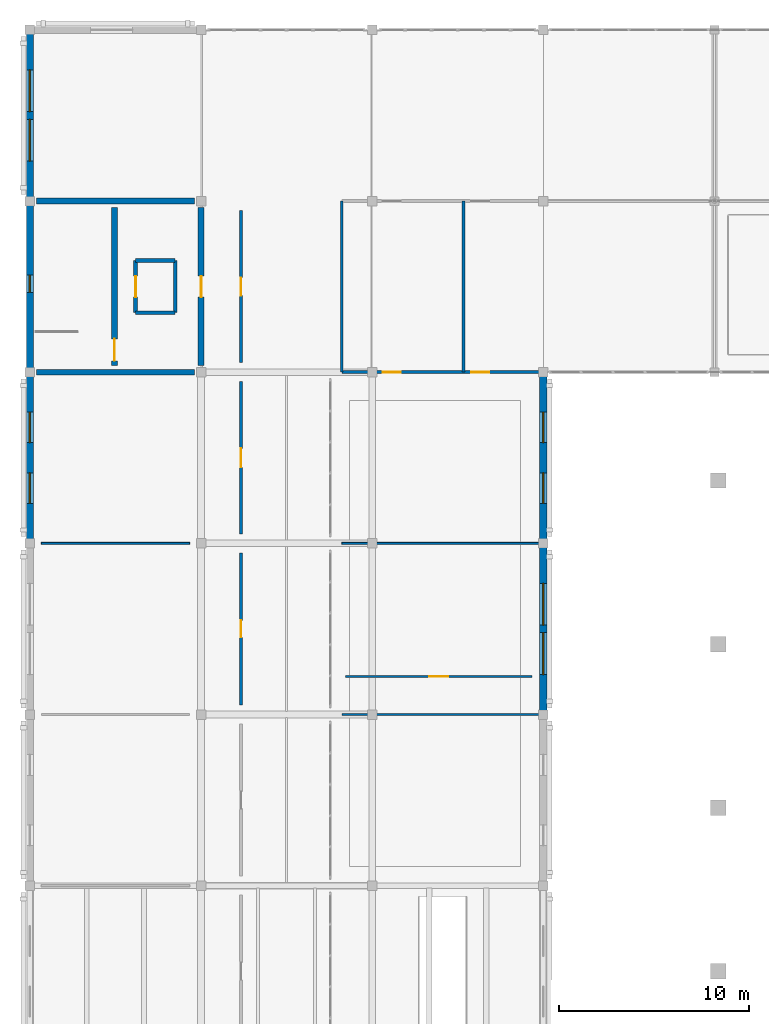
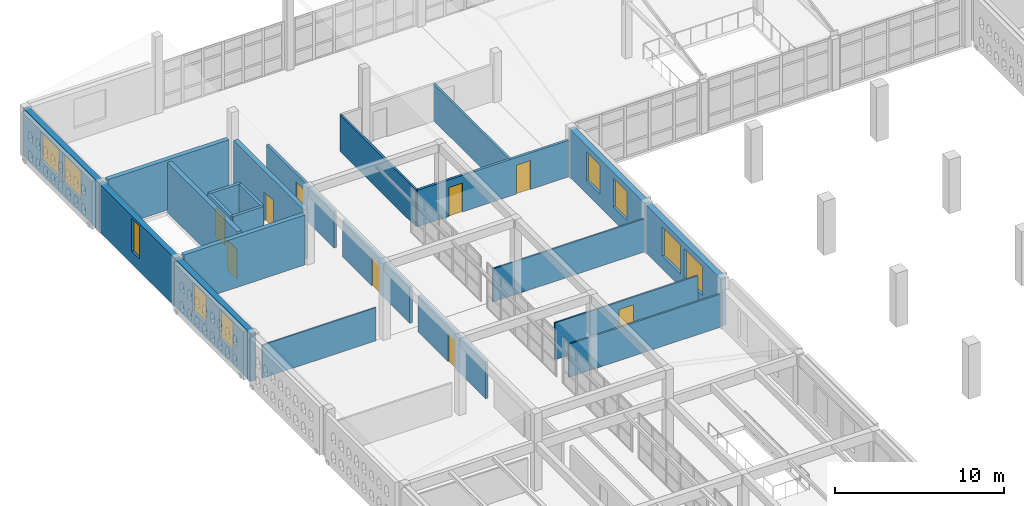
# One storey, part 131 of 156: 23 walls, 9 doors, 9 windows, 18 openings.
"""IFC4 building model written with IfcOpenShell, lengths in metres."""

from ifc_helpers import new_model, si_unit, direction, frame, frame_2d, origin, place, context, subcontext, project, spatial, rectangle, extrude, material, layer, layer_set, type_object, element, fill, save


model = new_model("IFC4")

# Units and contexts
model_context = context("Model", 3, precision=1e-05, world=origin(), true_north=direction((0.0, 1.0)))
body_context = subcontext(model_context, "Body", "Model", "MODEL_VIEW")
ifc_project = project(units=[si_unit("LENGTHUNIT", "METRE"), si_unit("AREAUNIT", "SQUARE_METRE"), si_unit("VOLUMEUNIT", "CUBIC_METRE"), si_unit("PLANEANGLEUNIT", "RADIAN"), si_unit("MASSUNIT", "GRAM", prefix="KILO")], contexts=[model_context])

# Site, building, storey
site_placement = place(None, origin())
site = spatial("IfcSite", under=ifc_project, at=site_placement, CompositionType="ELEMENT")
building_placement = place(site_placement, origin())
building = spatial("IfcBuilding", under=site, at=building_placement, Name="Ornek Quay Market", CompositionType="ELEMENT")
storey_placement = place(building_placement, frame((0.0, 0.0, 4.5)))
storey = spatial("IfcBuildingStorey", under=building, at=storey_placement, Name="L01", CompositionType="ELEMENT", Elevation=4.5)

# Wall, opening, door
ifc_material_1 = material(Name="Concrete C40/50", Category="concrete")
ifc_layer_1 = layer(ifc_material_1, 0.300048828125, Name="Concrete C40/50", Category="concrete")
ifc_layer_set_1 = layer_set([ifc_layer_1], Name="Concrete C40/50")
wall_type_1 = type_object("IfcWallType", Name="WL-CORE-300", PredefinedType="SHEAR", material=ifc_layer_set_1)
wall_1_placement = place(storey_placement, frame((4.449951171875, 92.35009765625, 0.0), z_axis=(0.0, 0.0, 1.0), x_axis=(0.0, 1.0, 0.0)))
wall_1 = element("IfcWall", 1, at=wall_1_placement, inside=storey, type_object=wall_type_1, Name="Interior wall W-CORE1-009", PredefinedType="SHEAR", context=body_context, shape_type="SweptSolid", body=[
    extrude(rectangle(XDim=8.2998046875, YDim=0.300048828125, at=frame_2d((4.14990234375, 0.0))), origin(), (0.0, 0.0, 1.0), 3.6201171875),
])
opening_1_placement = place(wall_1_placement, frame((0.25, 0.0, 0.0)))
opening_1 = element("IfcOpeningElement", 2, at=opening_1_placement, cuts=wall_1, Name="Opening FD-03-004", PredefinedType="OPENING", context=body_context, shape_type="SweptSolid", body=[
    extrude(rectangle(XDim=1.14990234375, YDim=2.14990234375, at=frame_2d((0.574951171875, 1.074951171875))), frame((0.0, 0.159912109375, 0.0), z_axis=(0.0, -1.0, 0.0), x_axis=(1.0, 0.0, 0.0)), (0.0, 0.0, 1.0), 0.320068359375),
])
ifc_material_2 = material(Name="Insulated fire-rated painted steel", Category="steel")
door_type_1 = type_object("IfcDoorType", Name="DR-FIRE-STAIR-1150x2150", OperationType="NOTDEFINED", PredefinedType="DOOR", material=ifc_material_2)
door_1_placement = place(opening_1_placement, origin())
door_1 = element("IfcDoor", 3, at=door_1_placement, inside=storey, type_object=door_type_1, Name="Interior door FD-03-004", OperationType="SINGLE_SWING_LEFT", OverallHeight=2.14990234375, OverallWidth=1.14990234375, PredefinedType="DOOR", context=body_context, shape_type="SweptSolid", body=[
    extrude(rectangle(XDim=1.14990234375, YDim=2.14990234375, at=frame_2d((0.574951171875, 1.074951171875))), frame((0.0, 0.02490234375, 0.0), z_axis=(0.0, -1.0, 0.0), x_axis=(1.0, 0.0, 0.0)), (0.0, 0.0, 1.0), 0.050048828125),
])
fill(opening_1, door_1)

wall_2_placement = place(storey_placement, frame((9.0, 92.35009765625, 0.0), z_axis=(0.0, 0.0, 1.0), x_axis=(0.0, 1.0, 0.0)))
wall_2 = element("IfcWall", 4, at=wall_2_placement, inside=storey, type_object=wall_type_1, Name="Interior wall W-CORE1-010", PredefinedType="SHEAR", context=body_context, shape_type="SweptSolid", body=[
    extrude(rectangle(XDim=8.2998046875, YDim=0.300048828125, at=frame_2d((4.14990234375, 0.0))), origin(), (0.0, 0.0, 1.0), 3.6201171875),
])
opening_2_placement = place(wall_2_placement, frame((3.60009765625, 0.0, 0.0)))
opening_2 = element("IfcOpeningElement", 5, at=opening_2_placement, cuts=wall_2, Name="Opening FD-04-005", PredefinedType="OPENING", context=body_context, shape_type="SweptSolid", body=[
    extrude(rectangle(XDim=1.10009765625, YDim=2.10009765625, at=frame_2d((0.550048828125, 1.050048828125))), frame((0.0, 0.159912109375, 0.0), z_axis=(0.0, -1.0, 0.0), x_axis=(1.0, 0.0, 0.0)), (0.0, 0.0, 1.0), 0.320068359375),
])
door_type_2 = type_object("IfcDoorType", Name="DR-FIRE-LOBBY-1100x2100", OperationType="NOTDEFINED", PredefinedType="DOOR", material=ifc_material_2)
door_2_placement = place(opening_2_placement, origin())
door_2 = element("IfcDoor", 6, at=door_2_placement, inside=storey, type_object=door_type_2, Name="Interior door FD-04-005", OperationType="SINGLE_SWING_RIGHT", OverallHeight=2.10009765625, OverallWidth=1.10009765625, PredefinedType="DOOR", context=body_context, shape_type="SweptSolid", body=[
    extrude(rectangle(XDim=1.10009765625, YDim=2.10009765625, at=frame_2d((0.550048828125, 1.050048828125))), frame((0.0, 0.02490234375, 0.0), z_axis=(0.0, -1.0, 0.0), x_axis=(1.0, 0.0, 0.0)), (0.0, 0.0, 1.0), 0.050048828125),
])
fill(opening_2, door_2)

# Walls
for number, where, z_axis, x_axis, name in (
    (7, (0.35009765625, 92.0, 0.0), (0.0, 0.0, 1.0), (1.0, 0.0, 0.0), "Interior wall W-CORE1-011"),
    (8, (0.35009765625, 101.0, 0.0), (0.0, 0.0, 1.0), (1.0, 0.0, 0.0), "Interior wall W-CORE1-012"),
):
    element("IfcWall", number, at=place(storey_placement, frame(where, z_axis=z_axis, x_axis=x_axis)), inside=storey, type_object=wall_type_1, Name=name, PredefinedType="SHEAR", context=body_context, shape_type="SweptSolid", body=[
        extrude(rectangle(XDim=8.2998046875, YDim=0.300048828125, at=frame_2d((4.14990234375, 0.0))), origin(), (0.0, 0.0, 1.0), 3.6201171875),
    ])

# Wall, opening, door
ifc_material_3 = material(Name="Autoclaved aerated concrete masonry", Category="masonry")
ifc_layer_2 = layer(ifc_material_3, 0.179931640625, Name="Autoclaved aerated concrete masonry", Category="masonry")
ifc_layer_set_2 = layer_set([ifc_layer_2], Name="Autoclaved aerated concrete masonry")
wall_type_2 = type_object("IfcWallType", Name="WL-CORR-180", PredefinedType="STANDARD", material=ifc_layer_set_2)
wall_3_placement = place(storey_placement, frame((11.10009765625, 74.5, 0.0), z_axis=(0.0, 0.0, 1.0), x_axis=(0.0, 1.0, 0.0)))
wall_3 = element("IfcWall", 9, at=wall_3_placement, inside=storey, type_object=wall_type_2, Name="Interior wall W-INT1-251", PredefinedType="STANDARD", context=body_context, shape_type="SweptSolid", body=[
    extrude(rectangle(XDim=8.0, YDim=0.179931640625, at=frame_2d((4.0, 0.0))), origin(), (0.0, 0.0, 1.0), 2.64990234375),
])
opening_3_placement = place(wall_3_placement, frame((3.550048828125, 0.0, 0.0)))
opening_3 = element("IfcOpeningElement", 10, at=opening_3_placement, cuts=wall_3, Name="Opening ID-05-116", PredefinedType="OPENING", context=body_context, shape_type="SweptSolid", body=[
    extrude(rectangle(XDim=0.89990234375, YDim=2.050048828125, at=frame_2d((0.449951171875, 1.02490234375))), frame((0.0, 0.099853515625, 0.0), z_axis=(0.0, -1.0, 0.0), x_axis=(1.0, 0.0, 0.0)), (0.0, 0.0, 1.0), 0.199951171875),
])
ifc_material_4 = material(Name="Timber market stall service door", Category="wood")
door_type_3 = type_object("IfcDoorType", Name="DR-INT-STALL-900x2050", OperationType="NOTDEFINED", PredefinedType="DOOR", material=ifc_material_4)
door_3_placement = place(opening_3_placement, origin())
door_3 = element("IfcDoor", 11, at=door_3_placement, inside=storey, type_object=door_type_3, Name="Interior door ID-05-116", OperationType="SINGLE_SWING_LEFT", OverallHeight=2.050048828125, OverallWidth=0.89990234375, PredefinedType="DOOR", context=body_context, shape_type="SweptSolid", body=[
    extrude(rectangle(XDim=0.89990234375, YDim=2.050048828125, at=frame_2d((0.449951171875, 1.02490234375))), frame((0.0, 0.02490234375, 0.0), z_axis=(0.0, -1.0, 0.0), x_axis=(1.0, 0.0, 0.0)), (0.0, 0.0, 1.0), 0.050048828125),
])
fill(opening_3, door_3)

wall_4_placement = place(storey_placement, frame((11.10009765625, 83.5, 0.0), z_axis=(0.0, 0.0, 1.0), x_axis=(0.0, 1.0, 0.0)))
wall_4 = element("IfcWall", 12, at=wall_4_placement, inside=storey, type_object=wall_type_2, Name="Interior wall W-INT1-252", PredefinedType="STANDARD", context=body_context, shape_type="SweptSolid", body=[
    extrude(rectangle(XDim=8.0, YDim=0.179931640625, at=frame_2d((4.0, 0.0))), origin(), (0.0, 0.0, 1.0), 2.64990234375),
])
opening_4_placement = place(wall_4_placement, frame((3.5, 0.0, 0.0)))
opening_4 = element("IfcOpeningElement", 13, at=opening_4_placement, cuts=wall_4, Name="Opening ID-03-117", PredefinedType="OPENING", context=body_context, shape_type="SweptSolid", body=[
    extrude(rectangle(XDim=1.0, YDim=2.10009765625, at=frame_2d((0.5, 1.050048828125))), frame((0.0, 0.099853515625, 0.0), z_axis=(0.0, -1.0, 0.0), x_axis=(1.0, 0.0, 0.0)), (0.0, 0.0, 1.0), 0.199951171875),
])
ifc_material_5 = material(Name="Solid oak door", Category="other")
door_type_4 = type_object("IfcDoorType", Name="DR-INT-ROOM-1000x2100", OperationType="NOTDEFINED", PredefinedType="DOOR", material=ifc_material_5)
door_4_placement = place(opening_4_placement, origin())
door_4 = element("IfcDoor", 14, at=door_4_placement, inside=storey, type_object=door_type_4, Name="Interior door ID-03-117", OperationType="SINGLE_SWING_RIGHT", OverallHeight=2.10009765625, OverallWidth=1.0, PredefinedType="DOOR", context=body_context, shape_type="SweptSolid", body=[
    extrude(rectangle(XDim=1.0, YDim=2.10009765625, at=frame_2d((0.5, 1.050048828125))), frame((0.0, 0.02490234375, 0.0), z_axis=(0.0, -1.0, 0.0), x_axis=(1.0, 0.0, 0.0)), (0.0, 0.0, 1.0), 0.050048828125),
])
fill(opening_4, door_4)

wall_5_placement = place(storey_placement, frame((11.10009765625, 92.5, 0.0), z_axis=(0.0, 0.0, 1.0), x_axis=(0.0, 1.0, 0.0)))
wall_5 = element("IfcWall", 15, at=wall_5_placement, inside=storey, type_object=wall_type_2, Name="Interior wall W-INT1-253", PredefinedType="STANDARD", context=body_context, shape_type="SweptSolid", body=[
    extrude(rectangle(XDim=8.0, YDim=0.179931640625, at=frame_2d((4.0, 0.0))), origin(), (0.0, 0.0, 1.0), 2.64990234375),
])
opening_5_placement = place(wall_5_placement, frame((3.52490234375, 0.0, 0.0)))
opening_5 = element("IfcOpeningElement", 16, at=opening_5_placement, cuts=wall_5, Name="Opening ID-04-118", PredefinedType="OPENING", context=body_context, shape_type="SweptSolid", body=[
    extrude(rectangle(XDim=0.949951171875, YDim=2.10009765625, at=frame_2d((0.47509765625, 1.050048828125))), frame((0.0, 0.099853515625, 0.0), z_axis=(0.0, -1.0, 0.0), x_axis=(1.0, 0.0, 0.0)), (0.0, 0.0, 1.0), 0.199951171875),
])
ifc_material_6 = material(Name="Moisture-resistant laminate door", Category="other")
door_type_5 = type_object("IfcDoorType", Name="DR-INT-WC-950x2100", OperationType="NOTDEFINED", PredefinedType="DOOR", material=ifc_material_6)
door_5_placement = place(opening_5_placement, origin())
door_5 = element("IfcDoor", 17, at=door_5_placement, inside=storey, type_object=door_type_5, Name="Interior door ID-04-118", OperationType="SINGLE_SWING_LEFT", OverallHeight=2.10009765625, OverallWidth=0.949951171875, PredefinedType="DOOR", context=body_context, shape_type="SweptSolid", body=[
    extrude(rectangle(XDim=0.949951171875, YDim=2.10009765625, at=frame_2d((0.47509765625, 1.050048828125))), frame((0.0, 0.02490234375, 0.0), z_axis=(0.0, -1.0, 0.0), x_axis=(1.0, 0.0, 0.0)), (0.0, 0.0, 1.0), 0.050048828125),
])
fill(opening_5, door_5)

# Wall, openings, windows
ifc_material_7 = material(Name="Frost-resistant facing clay brick M200 F100", Category="masonry")
ifc_layer_3 = layer(ifc_material_7, 0.3798828125, Name="Frost-resistant facing clay brick M200 F100", Category="masonry")
ifc_layer_set_3 = layer_set([ifc_layer_3], Name="Frost-resistant facing clay brick M200 F100")
wall_type_3 = type_object("IfcWallType", Name="WL-EXT-WING-380", PredefinedType="STANDARD", material=ifc_layer_set_3)
wall_6_placement = place(storey_placement, frame((0.0, 83.0, 0.0), z_axis=(0.0, 0.0, 1.0), x_axis=(0.0, 1.0, 0.0)))
wall_6 = element("IfcWall", 18, at=wall_6_placement, inside=storey, type_object=wall_type_3, Name="Exterior wall EW-067", PredefinedType="STANDARD", context=body_context, shape_type="SweptSolid", body=[
    extrude(rectangle(XDim=9.0, YDim=0.3798828125, at=frame_2d((4.5, 0.0))), origin(), (0.0, 0.0, 1.0), 3.47998046875),
])
opening_6_placement = place(wall_6_placement, frame((2.10009765625, 0.0, 0.949951171875)))
opening_6 = element("IfcOpeningElement", 19, at=opening_6_placement, cuts=wall_6, Name="Opening W-13-040", PredefinedType="OPENING", context=body_context, shape_type="SweptSolid", body=[
    extrude(rectangle(XDim=1.60009765625, YDim=2.10009765625, at=frame_2d((0.800048828125, 1.050048828125))), frame((0.0, 0.199951171875, 0.0), z_axis=(0.0, -1.0, 0.0), x_axis=(1.0, 0.0, 0.0)), (0.0, 0.0, 1.0), 0.39990234375),
])
opening_7_placement = place(wall_6_placement, frame((5.300048828125, 0.0, 0.949951171875)))
opening_7 = element("IfcOpeningElement", 20, at=opening_7_placement, cuts=wall_6, Name="Opening W-13-041", PredefinedType="OPENING", context=body_context, shape_type="SweptSolid", body=[
    extrude(rectangle(XDim=1.60009765625, YDim=2.10009765625, at=frame_2d((0.800048828125, 1.050048828125))), frame((0.0, 0.199951171875, 0.0), z_axis=(0.0, -1.0, 0.0), x_axis=(1.0, 0.0, 0.0)), (0.0, 0.0, 1.0), 0.39990234375),
])
ifc_material_8 = material(Name="Thermally broken bronze aluminium and triple low-e glass", Category="aluminium")
window_type_1 = type_object("IfcWindowType", Name="WN-WW-1600x2100", PartitioningType="DOUBLE_PANEL_VERTICAL", PredefinedType="WINDOW", material=ifc_material_8)
window_1_placement = place(opening_6_placement, origin())
window_1 = element("IfcWindow", 21, at=window_1_placement, inside=storey, type_object=window_type_1, Name="Window W-13-040", OverallHeight=2.10009765625, OverallWidth=1.60009765625, PartitioningType="SINGLE_PANEL", PredefinedType="WINDOW", context=body_context, shape_type="SweptSolid", body=[
    extrude(rectangle(XDim=1.60009765625, YDim=2.10009765625, at=frame_2d((0.800048828125, 1.050048828125))), frame((0.0, 0.030029296875, 0.0), z_axis=(0.0, -1.0, 0.0), x_axis=(1.0, 0.0, 0.0)), (0.0, 0.0, 1.0), 0.06005859375),
])
fill(opening_6, window_1)
window_2_placement = place(opening_7_placement, origin())
window_2 = element("IfcWindow", 22, at=window_2_placement, inside=storey, type_object=window_type_1, Name="Window W-13-041", OverallHeight=2.10009765625, OverallWidth=1.60009765625, PartitioningType="SINGLE_PANEL", PredefinedType="WINDOW", context=body_context, shape_type="SweptSolid", body=[
    extrude(rectangle(XDim=1.60009765625, YDim=2.10009765625, at=frame_2d((0.800048828125, 1.050048828125))), frame((0.0, 0.030029296875, 0.0), z_axis=(0.0, -1.0, 0.0), x_axis=(1.0, 0.0, 0.0)), (0.0, 0.0, 1.0), 0.06005859375),
])
fill(opening_7, window_2)

# Wall, opening, window
wall_7_placement = place(storey_placement, frame((0.0, 92.0, 0.0), z_axis=(0.0, 0.0, 1.0), x_axis=(0.0, 1.0, 0.0)))
wall_7 = element("IfcWall", 23, at=wall_7_placement, inside=storey, type_object=wall_type_3, Name="Exterior wall EW-068", PredefinedType="STANDARD", context=body_context, shape_type="SweptSolid", body=[
    extrude(rectangle(XDim=9.0, YDim=0.3798828125, at=frame_2d((4.5, 0.0))), origin(), (0.0, 0.0, 1.0), 3.47998046875),
])
opening_8_placement = place(wall_7_placement, frame((4.199951171875, 0.0, 0.89990234375)))
opening_8 = element("IfcOpeningElement", 24, at=opening_8_placement, cuts=wall_7, Name="Opening W-17-042", PredefinedType="OPENING", context=body_context, shape_type="SweptSolid", body=[
    extrude(rectangle(XDim=0.89990234375, YDim=2.39990234375, at=frame_2d((0.449951171875, 1.199951171875))), frame((0.0, 0.199951171875, 0.0), z_axis=(0.0, -1.0, 0.0), x_axis=(1.0, 0.0, 0.0)), (0.0, 0.0, 1.0), 0.39990234375),
])
window_type_2 = type_object("IfcWindowType", Name="WN-CORE-900x2400", PartitioningType="SINGLE_PANEL", PredefinedType="WINDOW", material=ifc_material_8)
window_3_placement = place(opening_8_placement, origin())
window_3 = element("IfcWindow", 25, at=window_3_placement, inside=storey, type_object=window_type_2, Name="Window W-17-042", OverallHeight=2.39990234375, OverallWidth=0.89990234375, PartitioningType="SINGLE_PANEL", PredefinedType="WINDOW", context=body_context, shape_type="SweptSolid", body=[
    extrude(rectangle(XDim=0.89990234375, YDim=2.39990234375, at=frame_2d((0.449951171875, 1.199951171875))), frame((0.0, 0.030029296875, 0.0), z_axis=(0.0, -1.0, 0.0), x_axis=(1.0, 0.0, 0.0)), (0.0, 0.0, 1.0), 0.06005859375),
])
fill(opening_8, window_3)

# Wall, openings, windows
wall_8_placement = place(storey_placement, frame((0.0, 101.0, 0.0), z_axis=(0.0, 0.0, 1.0), x_axis=(0.0, 1.0, 0.0)))
wall_8 = element("IfcWall", 26, at=wall_8_placement, inside=storey, type_object=wall_type_3, Name="Exterior wall EW-069", PredefinedType="STANDARD", context=body_context, shape_type="SweptSolid", body=[
    extrude(rectangle(XDim=9.0, YDim=0.3798828125, at=frame_2d((4.5, 0.0))), origin(), (0.0, 0.0, 1.0), 3.47998046875),
])
opening_9_placement = place(wall_8_placement, frame((2.10009765625, 0.0, 0.949951171875)))
opening_9 = element("IfcOpeningElement", 27, at=opening_9_placement, cuts=wall_8, Name="Opening W-12-043", PredefinedType="OPENING", context=body_context, shape_type="SweptSolid", body=[
    extrude(rectangle(XDim=2.199951171875, YDim=2.10009765625, at=frame_2d((1.10009765625, 1.050048828125))), frame((0.0, 0.199951171875, 0.0), z_axis=(0.0, -1.0, 0.0), x_axis=(1.0, 0.0, 0.0)), (0.0, 0.0, 1.0), 0.39990234375),
])
opening_10_placement = place(wall_8_placement, frame((4.699951171875, 0.0, 0.949951171875)))
opening_10 = element("IfcOpeningElement", 28, at=opening_10_placement, cuts=wall_8, Name="Opening W-12-044", PredefinedType="OPENING", context=body_context, shape_type="SweptSolid", body=[
    extrude(rectangle(XDim=2.199951171875, YDim=2.10009765625, at=frame_2d((1.10009765625, 1.050048828125))), frame((0.0, 0.199951171875, 0.0), z_axis=(0.0, -1.0, 0.0), x_axis=(1.0, 0.0, 0.0)), (0.0, 0.0, 1.0), 0.39990234375),
])
window_type_3 = type_object("IfcWindowType", Name="WN-WW-2200x2100", PartitioningType="DOUBLE_PANEL_VERTICAL", PredefinedType="WINDOW", material=ifc_material_8)
window_4_placement = place(opening_9_placement, origin())
window_4 = element("IfcWindow", 29, at=window_4_placement, inside=storey, type_object=window_type_3, Name="Window W-12-043", OverallHeight=2.10009765625, OverallWidth=2.199951171875, PartitioningType="SINGLE_PANEL", PredefinedType="WINDOW", context=body_context, shape_type="SweptSolid", body=[
    extrude(rectangle(XDim=2.199951171875, YDim=2.10009765625, at=frame_2d((1.10009765625, 1.050048828125))), frame((0.0, 0.030029296875, 0.0), z_axis=(0.0, -1.0, 0.0), x_axis=(1.0, 0.0, 0.0)), (0.0, 0.0, 1.0), 0.06005859375),
])
fill(opening_9, window_4)
window_5_placement = place(opening_10_placement, origin())
window_5 = element("IfcWindow", 30, at=window_5_placement, inside=storey, type_object=window_type_3, Name="Window W-12-044", OverallHeight=2.10009765625, OverallWidth=2.199951171875, PartitioningType="SINGLE_PANEL", PredefinedType="WINDOW", context=body_context, shape_type="SweptSolid", body=[
    extrude(rectangle(XDim=2.199951171875, YDim=2.10009765625, at=frame_2d((1.10009765625, 1.050048828125))), frame((0.0, 0.030029296875, 0.0), z_axis=(0.0, -1.0, 0.0), x_axis=(1.0, 0.0, 0.0)), (0.0, 0.0, 1.0), 0.06005859375),
])
fill(opening_10, window_5)

wall_9_placement = place(storey_placement, frame((27.0, 74.0, 0.0), z_axis=(0.0, 0.0, 1.0), x_axis=(0.0, 1.0, 0.0)))
wall_9 = element("IfcWall", 31, at=wall_9_placement, inside=storey, type_object=wall_type_3, Name="Exterior wall EW-075", PredefinedType="STANDARD", context=body_context, shape_type="SweptSolid", body=[
    extrude(rectangle(XDim=9.0, YDim=0.3798828125, at=frame_2d((4.5, 0.0))), origin(), (0.0, 0.0, 1.0), 3.47998046875),
])
opening_11_placement = place(wall_9_placement, frame((2.10009765625, 0.0, 0.949951171875)))
opening_11 = element("IfcOpeningElement", 32, at=opening_11_placement, cuts=wall_9, Name="Opening W-12-055", PredefinedType="OPENING", context=body_context, shape_type="SweptSolid", body=[
    extrude(rectangle(XDim=2.199951171875, YDim=2.10009765625, at=frame_2d((1.10009765625, 1.050048828125))), frame((0.0, 0.199951171875, 0.0), z_axis=(0.0, -1.0, 0.0), x_axis=(1.0, 0.0, 0.0)), (0.0, 0.0, 1.0), 0.39990234375),
])
opening_12_placement = place(wall_9_placement, frame((4.699951171875, 0.0, 0.949951171875)))
opening_12 = element("IfcOpeningElement", 33, at=opening_12_placement, cuts=wall_9, Name="Opening W-12-056", PredefinedType="OPENING", context=body_context, shape_type="SweptSolid", body=[
    extrude(rectangle(XDim=2.199951171875, YDim=2.10009765625, at=frame_2d((1.10009765625, 1.050048828125))), frame((0.0, 0.199951171875, 0.0), z_axis=(0.0, -1.0, 0.0), x_axis=(1.0, 0.0, 0.0)), (0.0, 0.0, 1.0), 0.39990234375),
])
window_6_placement = place(opening_11_placement, origin())
window_6 = element("IfcWindow", 34, at=window_6_placement, inside=storey, type_object=window_type_3, Name="Window W-12-055", OverallHeight=2.10009765625, OverallWidth=2.199951171875, PartitioningType="SINGLE_PANEL", PredefinedType="WINDOW", context=body_context, shape_type="SweptSolid", body=[
    extrude(rectangle(XDim=2.199951171875, YDim=2.10009765625, at=frame_2d((1.10009765625, 1.050048828125))), frame((0.0, 0.030029296875, 0.0), z_axis=(0.0, -1.0, 0.0), x_axis=(1.0, 0.0, 0.0)), (0.0, 0.0, 1.0), 0.06005859375),
])
fill(opening_11, window_6)
window_7_placement = place(opening_12_placement, origin())
window_7 = element("IfcWindow", 35, at=window_7_placement, inside=storey, type_object=window_type_3, Name="Window W-12-056", OverallHeight=2.10009765625, OverallWidth=2.199951171875, PartitioningType="SINGLE_PANEL", PredefinedType="WINDOW", context=body_context, shape_type="SweptSolid", body=[
    extrude(rectangle(XDim=2.199951171875, YDim=2.10009765625, at=frame_2d((1.10009765625, 1.050048828125))), frame((0.0, 0.030029296875, 0.0), z_axis=(0.0, -1.0, 0.0), x_axis=(1.0, 0.0, 0.0)), (0.0, 0.0, 1.0), 0.06005859375),
])
fill(opening_12, window_7)

wall_10_placement = place(storey_placement, frame((27.0, 83.0, 0.0), z_axis=(0.0, 0.0, 1.0), x_axis=(0.0, 1.0, 0.0)))
wall_10 = element("IfcWall", 36, at=wall_10_placement, inside=storey, type_object=wall_type_3, Name="Exterior wall EW-076", PredefinedType="STANDARD", context=body_context, shape_type="SweptSolid", body=[
    extrude(rectangle(XDim=9.0, YDim=0.3798828125, at=frame_2d((4.5, 0.0))), origin(), (0.0, 0.0, 1.0), 3.47998046875),
])
opening_13_placement = place(wall_10_placement, frame((2.10009765625, 0.0, 0.949951171875)))
opening_13 = element("IfcOpeningElement", 37, at=opening_13_placement, cuts=wall_10, Name="Opening W-13-057", PredefinedType="OPENING", context=body_context, shape_type="SweptSolid", body=[
    extrude(rectangle(XDim=1.60009765625, YDim=2.10009765625, at=frame_2d((0.800048828125, 1.050048828125))), frame((0.0, 0.199951171875, 0.0), z_axis=(0.0, -1.0, 0.0), x_axis=(1.0, 0.0, 0.0)), (0.0, 0.0, 1.0), 0.39990234375),
])
opening_14_placement = place(wall_10_placement, frame((5.300048828125, 0.0, 0.949951171875)))
opening_14 = element("IfcOpeningElement", 38, at=opening_14_placement, cuts=wall_10, Name="Opening W-13-058", PredefinedType="OPENING", context=body_context, shape_type="SweptSolid", body=[
    extrude(rectangle(XDim=1.60009765625, YDim=2.10009765625, at=frame_2d((0.800048828125, 1.050048828125))), frame((0.0, 0.199951171875, 0.0), z_axis=(0.0, -1.0, 0.0), x_axis=(1.0, 0.0, 0.0)), (0.0, 0.0, 1.0), 0.39990234375),
])
window_8_placement = place(opening_13_placement, origin())
window_8 = element("IfcWindow", 39, at=window_8_placement, inside=storey, type_object=window_type_1, Name="Window W-13-057", OverallHeight=2.10009765625, OverallWidth=1.60009765625, PartitioningType="SINGLE_PANEL", PredefinedType="WINDOW", context=body_context, shape_type="SweptSolid", body=[
    extrude(rectangle(XDim=1.60009765625, YDim=2.10009765625, at=frame_2d((0.800048828125, 1.050048828125))), frame((0.0, 0.030029296875, 0.0), z_axis=(0.0, -1.0, 0.0), x_axis=(1.0, 0.0, 0.0)), (0.0, 0.0, 1.0), 0.06005859375),
])
fill(opening_13, window_8)
window_9_placement = place(opening_14_placement, origin())
window_9 = element("IfcWindow", 40, at=window_9_placement, inside=storey, type_object=window_type_1, Name="Window W-13-058", OverallHeight=2.10009765625, OverallWidth=1.60009765625, PartitioningType="SINGLE_PANEL", PredefinedType="WINDOW", context=body_context, shape_type="SweptSolid", body=[
    extrude(rectangle(XDim=1.60009765625, YDim=2.10009765625, at=frame_2d((0.800048828125, 1.050048828125))), frame((0.0, 0.030029296875, 0.0), z_axis=(0.0, -1.0, 0.0), x_axis=(1.0, 0.0, 0.0)), (0.0, 0.0, 1.0), 0.06005859375),
])
fill(opening_14, window_9)

# Wall, opening, door
ifc_material_9 = material(Name="Framed acoustic glass partition", Category="glass")
ifc_layer_4 = layer(ifc_material_9, 0.110107421875, Name="Framed acoustic glass partition", Category="glass")
ifc_layer_set_4 = layer_set([ifc_layer_4], Name="Framed acoustic glass partition")
wall_type_4 = type_object("IfcWallType", Name="WL-GLAZED-110", PredefinedType="PARTITIONING", material=ifc_layer_set_4)
wall_11_placement = place(storey_placement, frame((16.60009765625, 76.0, 0.0), z_axis=(0.0, 0.0, 1.0), x_axis=(1.0, 0.0, 0.0)))
wall_11 = element("IfcWall", 41, at=wall_11_placement, inside=storey, type_object=wall_type_4, Name="Interior wall W-INT7-358", PredefinedType="PARTITIONING", context=body_context, shape_type="SweptSolid", body=[
    extrude(rectangle(XDim=9.7998046875, YDim=0.110107421875, at=frame_2d((4.89990234375, 0.0))), origin(), (0.0, 0.0, 1.0), 2.64990234375),
])
opening_15_placement = place(wall_11_placement, frame((4.39990234375, 0.0, 0.0)))
opening_15 = element("IfcOpeningElement", 42, at=opening_15_placement, cuts=wall_11, Name="Opening ID-03-178", PredefinedType="OPENING", context=body_context, shape_type="SweptSolid", body=[
    extrude(rectangle(XDim=1.0, YDim=2.10009765625, at=frame_2d((0.5, 1.050048828125))), frame((0.0, 0.06494140625, 0.0), z_axis=(0.0, -1.0, 0.0), x_axis=(1.0, 0.0, 0.0)), (0.0, 0.0, 1.0), 0.130126953125),
])
door_6_placement = place(opening_15_placement, origin())
door_6 = element("IfcDoor", 43, at=door_6_placement, inside=storey, type_object=door_type_4, Name="Interior door ID-03-178", OperationType="SINGLE_SWING_LEFT", OverallHeight=2.10009765625, OverallWidth=1.0, PredefinedType="DOOR", context=body_context, shape_type="SweptSolid", body=[
    extrude(rectangle(XDim=1.0, YDim=2.10009765625, at=frame_2d((0.5, 1.050048828125))), frame((0.0, 0.02490234375, 0.0), z_axis=(0.0, -1.0, 0.0), x_axis=(1.0, 0.0, 0.0)), (0.0, 0.0, 1.0), 0.050048828125),
])
fill(opening_15, door_6)

# Wall, openings, doors
ifc_material_10 = material(Name="Ceramic-tiled masonry partition", Category="masonry")
ifc_layer_5 = layer(ifc_material_10, 0.159912109375, Name="Ceramic-tiled masonry partition", Category="masonry")
ifc_layer_set_5 = layer_set([ifc_layer_5], Name="Ceramic-tiled masonry partition")
wall_type_5 = type_object("IfcWallType", Name="WL-KIT-160", PredefinedType="PARTITIONING", material=ifc_layer_set_5)
wall_12_placement = place(storey_placement, frame((16.39990234375, 92.0, 0.0), z_axis=(0.0, 0.0, 1.0), x_axis=(1.0, 0.0, 0.0)))
wall_12 = element("IfcWall", 44, at=wall_12_placement, inside=storey, type_object=wall_type_5, Name="Interior wall W-INT2-264", PredefinedType="PARTITIONING", context=body_context, shape_type="SweptSolid", body=[
    extrude(rectangle(XDim=10.400146484375, YDim=0.159912109375, at=frame_2d((5.2001953125, 0.0))), origin(), (0.0, 0.0, 1.0), 2.64990234375),
])
opening_16_placement = place(wall_12_placement, frame((2.14990234375, 0.0, 0.0)))
opening_16 = element("IfcOpeningElement", 45, at=opening_16_placement, cuts=wall_12, Name="Opening ID-04-119", PredefinedType="OPENING", context=body_context, shape_type="SweptSolid", body=[
    extrude(rectangle(XDim=0.949951171875, YDim=2.10009765625, at=frame_2d((0.47509765625, 1.050048828125))), frame((0.0, 0.08984375, 0.0), z_axis=(0.0, -1.0, 0.0), x_axis=(1.0, 0.0, 0.0)), (0.0, 0.0, 1.0), 0.179931640625),
])
opening_17_placement = place(wall_12_placement, frame((6.800048828125, 0.0, 0.0)))
opening_17 = element("IfcOpeningElement", 46, at=opening_17_placement, cuts=wall_12, Name="Opening ID-04-120", PredefinedType="OPENING", context=body_context, shape_type="SweptSolid", body=[
    extrude(rectangle(XDim=0.949951171875, YDim=2.10009765625, at=frame_2d((0.47509765625, 1.050048828125))), frame((0.0, 0.08984375, 0.0), z_axis=(0.0, -1.0, 0.0), x_axis=(1.0, 0.0, 0.0)), (0.0, 0.0, 1.0), 0.179931640625),
])
door_7_placement = place(opening_16_placement, origin())
door_7 = element("IfcDoor", 47, at=door_7_placement, inside=storey, type_object=door_type_5, Name="Interior door ID-04-119", OperationType="SINGLE_SWING_RIGHT", OverallHeight=2.10009765625, OverallWidth=0.949951171875, PredefinedType="DOOR", context=body_context, shape_type="SweptSolid", body=[
    extrude(rectangle(XDim=0.949951171875, YDim=2.10009765625, at=frame_2d((0.47509765625, 1.050048828125))), frame((0.0, 0.02490234375, 0.0), z_axis=(0.0, -1.0, 0.0), x_axis=(1.0, 0.0, 0.0)), (0.0, 0.0, 1.0), 0.050048828125),
])
fill(opening_16, door_7)
door_8_placement = place(opening_17_placement, origin())
door_8 = element("IfcDoor", 48, at=door_8_placement, inside=storey, type_object=door_type_5, Name="Interior door ID-04-120", OperationType="SINGLE_SWING_LEFT", OverallHeight=2.10009765625, OverallWidth=0.949951171875, PredefinedType="DOOR", context=body_context, shape_type="SweptSolid", body=[
    extrude(rectangle(XDim=0.949951171875, YDim=2.10009765625, at=frame_2d((0.47509765625, 1.050048828125))), frame((0.0, 0.02490234375, 0.0), z_axis=(0.0, -1.0, 0.0), x_axis=(1.0, 0.0, 0.0)), (0.0, 0.0, 1.0), 0.050048828125),
])
fill(opening_17, door_8)

# Wall, opening, door
ifc_material_11 = material(Name="Concrete C35/45", Category="concrete")
ifc_layer_6 = layer(ifc_material_11, 0.199951171875, Name="Concrete C35/45", Category="concrete")
ifc_layer_set_6 = layer_set([ifc_layer_6], Name="Concrete C35/45")
wall_type_6 = type_object("IfcWallType", Name="WL-SHAFT-200", PredefinedType="SOLIDWALL", material=ifc_layer_set_6)
wall_13_placement = place(storey_placement, frame((5.56005859375, 95.1298828125, 0.0), z_axis=(0.0, 0.0, 1.0), x_axis=(0.0, 1.0, 0.0)))
wall_13 = element("IfcWall", 49, at=wall_13_placement, inside=storey, type_object=wall_type_6, Name="Interior wall W-CORE3-013", PredefinedType="SOLIDWALL", context=body_context, shape_type="SweptSolid", body=[
    extrude(rectangle(XDim=2.740234375, YDim=0.199951171875, at=frame_2d((1.3701171875, 0.0))), origin(), (0.0, 0.0, 1.0), 2.64990234375),
])
opening_18_placement = place(wall_13_placement, frame((0.820068359375, 0.0, 0.0)))
opening_18 = element("IfcOpeningElement", 50, at=opening_18_placement, cuts=wall_13, Name="Opening LD-01-006", PredefinedType="OPENING", context=body_context, shape_type="SweptSolid", body=[
    extrude(rectangle(XDim=1.10009765625, YDim=2.10009765625, at=frame_2d((0.550048828125, 1.050048828125))), frame((0.0, 0.10986328125, 0.0), z_axis=(0.0, -1.0, 0.0), x_axis=(1.0, 0.0, 0.0)), (0.0, 0.0, 1.0), 0.219970703125),
])
ifc_material_12 = material(Name="Brushed stainless steel landing door", Category="steel")
door_type_6 = type_object("IfcDoorType", Name="DR-LIFT-1100x2100", OperationType="SLIDING_TO_LEFT", PredefinedType="DOOR", material=ifc_material_12)
door_9_placement = place(opening_18_placement, origin())
door_9 = element("IfcDoor", 51, at=door_9_placement, inside=storey, type_object=door_type_6, Name="Interior door LD-01-006", OperationType="SLIDING_TO_LEFT", OverallHeight=2.10009765625, OverallWidth=1.10009765625, PredefinedType="DOOR", context=body_context, shape_type="SweptSolid", body=[
    extrude(rectangle(XDim=1.10009765625, YDim=2.10009765625, at=frame_2d((0.550048828125, 1.050048828125))), frame((0.0, 0.02490234375, 0.0), z_axis=(0.0, -1.0, 0.0), x_axis=(1.0, 0.0, 0.0)), (0.0, 0.0, 1.0), 0.050048828125),
])
fill(opening_18, door_9)

# Walls
for number, where, z_axis, x_axis, name in (
    (52, (5.56005859375, 95.1298828125, 0.0), (0.0, 0.0, 1.0), (1.0, 0.0, 0.0), "Interior wall W-CORE3-014"),
    (53, (5.56005859375, 97.8701171875, 0.0), (0.0, 0.0, 1.0), (1.0, 0.0, 0.0), "Interior wall W-CORE3-015"),
):
    element("IfcWall", number, at=place(storey_placement, frame(where, z_axis=z_axis, x_axis=x_axis)), inside=storey, type_object=wall_type_6, Name=name, PredefinedType="SOLIDWALL", context=body_context, shape_type="SweptSolid", body=[
        extrude(rectangle(XDim=2.079833984375, YDim=0.199951171875, at=frame_2d((1.0400390625, 0.0))), origin(), (0.0, 0.0, 1.0), 2.64990234375),
    ])
wall_14_placement = place(storey_placement, frame((7.639892578125, 95.1298828125, 0.0), z_axis=(0.0, 0.0, 1.0), x_axis=(0.0, 1.0, 0.0)))
element("IfcWall", 54, at=wall_14_placement, inside=storey, type_object=wall_type_6, Name="Interior wall W-CORE3-016", PredefinedType="SOLIDWALL", context=body_context, shape_type="SweptSolid", body=[
    extrude(rectangle(XDim=2.740234375, YDim=0.199951171875, at=frame_2d((1.3701171875, 0.0))), origin(), (0.0, 0.0, 1.0), 2.64990234375),
])
ifc_material_13 = material(Name="Demountable timber-framed stall partition", Category="wood")
ifc_layer_7 = layer(ifc_material_13, 0.10009765625, Name="Demountable timber-framed stall partition", Category="wood")
ifc_layer_set_7 = layer_set([ifc_layer_7], Name="Demountable timber-framed stall partition")
wall_type_7 = type_object("IfcWallType", Name="WL-STALL-100", PredefinedType="PARTITIONING", material=ifc_layer_set_7)
wall_15_placement = place(storey_placement, frame((0.60009765625, 83.0, 0.0), z_axis=(0.0, 0.0, 1.0), x_axis=(1.0, 0.0, 0.0)))
element("IfcWall", 55, at=wall_15_placement, inside=storey, type_object=wall_type_7, Name="Interior wall W-STL2-262", PredefinedType="PARTITIONING", context=body_context, shape_type="SweptSolid", body=[
    extrude(rectangle(XDim=7.7998046875, YDim=0.10009765625, at=frame_2d((3.89990234375, 0.0))), origin(), (0.0, 0.0, 1.0), 2.39990234375),
])
wall_16_placement = place(storey_placement, frame((16.39990234375, 83.0, 0.0), z_axis=(0.0, 0.0, 1.0), x_axis=(1.0, 0.0, 0.0)))
element("IfcWall", 56, at=wall_16_placement, inside=storey, type_object=wall_type_7, Name="Interior wall W-STL2-263", PredefinedType="PARTITIONING", context=body_context, shape_type="SweptSolid", body=[
    extrude(rectangle(XDim=10.400146484375, YDim=0.10009765625, at=frame_2d((5.2001953125, 0.0))), origin(), (0.0, 0.0, 1.0), 2.39990234375),
])
ifc_material_14 = material(Name="Fair-faced brick stall divider wall", Category="masonry")
ifc_layer_8 = layer(ifc_material_14, 0.114990234375, Name="Fair-faced brick stall divider wall", Category="masonry")
ifc_layer_set_8 = layer_set([ifc_layer_8], Name="Fair-faced brick stall divider wall")
wall_type_8 = type_object("IfcWallType", Name="WL-STALL-115", PredefinedType="PARTITIONING", material=ifc_layer_set_8)
wall_17_placement = place(storey_placement, frame((16.39990234375, 74.0, 0.0), z_axis=(0.0, 0.0, 1.0), x_axis=(1.0, 0.0, 0.0)))
element("IfcWall", 57, at=wall_17_placement, inside=storey, type_object=wall_type_8, Name="Interior wall W-STL1-261", PredefinedType="PARTITIONING", context=body_context, shape_type="SweptSolid", body=[
    extrude(rectangle(XDim=10.400146484375, YDim=0.114990234375, at=frame_2d((5.2001953125, 0.0))), origin(), (0.0, 0.0, 1.0), 2.39990234375),
])
ifc_material_15 = material(Name="Moisture-resistant masonry partition", Category="masonry")
ifc_layer_9 = layer(ifc_material_15, 0.139892578125, Name="Moisture-resistant masonry partition", Category="masonry")
ifc_layer_set_9 = layer_set([ifc_layer_9], Name="Moisture-resistant masonry partition")
wall_type_9 = type_object("IfcWallType", Name="WL-WC-140", PredefinedType="PARTITIONING", material=ifc_layer_set_9)
for number, where, z_axis, x_axis, name in (
    (58, (16.39990234375, 92.0, 0.0), (0.0, 0.0, 1.0), (0.0, 1.0, 0.0), "Interior wall W-INT4-383"),
    (59, (22.800048828125, 92.0, 0.0), (0.0, 0.0, 1.0), (0.0, 1.0, 0.0), "Interior wall W-INT4-384"),
):
    element("IfcWall", number, at=place(storey_placement, frame(where, z_axis=z_axis, x_axis=x_axis)), inside=storey, type_object=wall_type_9, Name=name, PredefinedType="PARTITIONING", context=body_context, shape_type="SweptSolid", body=[
        extrude(rectangle(XDim=9.0, YDim=0.139892578125, at=frame_2d((4.5, 0.0))), origin(), (0.0, 0.0, 1.0), 2.64990234375),
    ])

save(model, "model.ifc")
